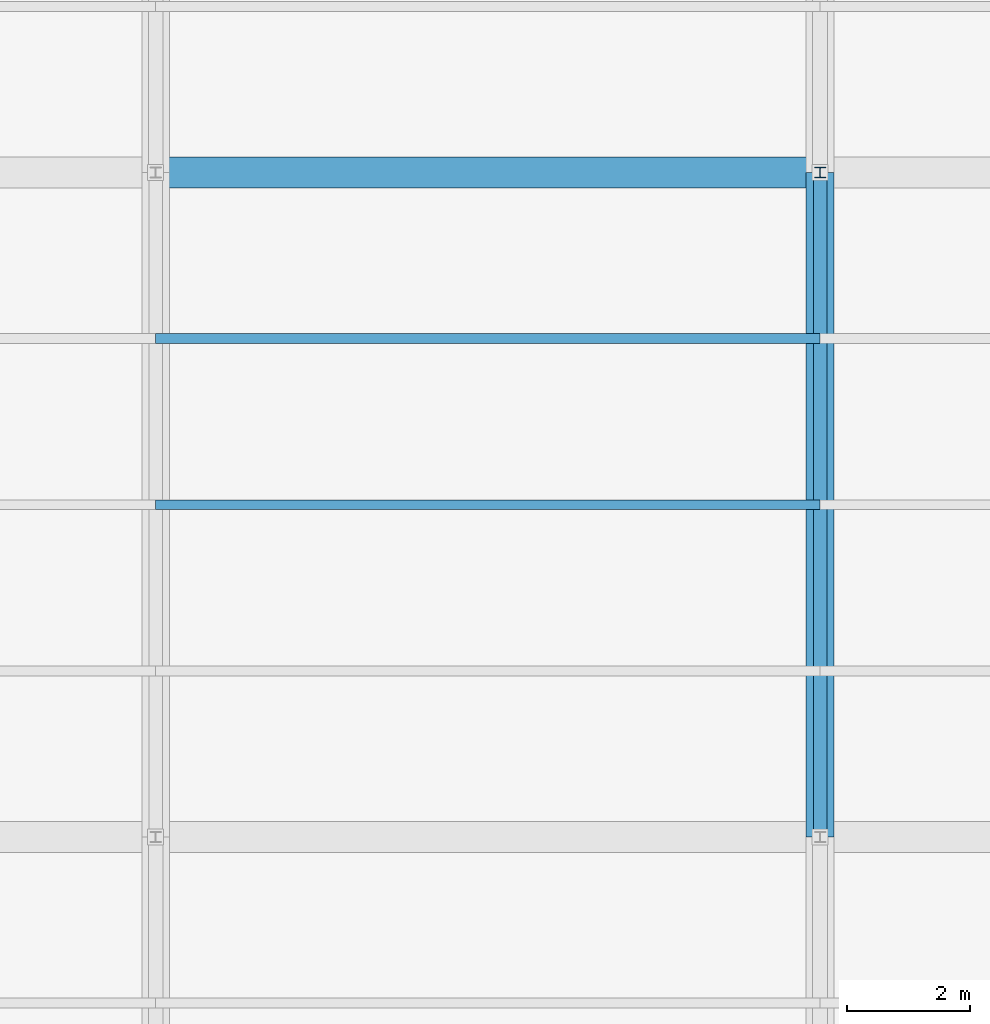
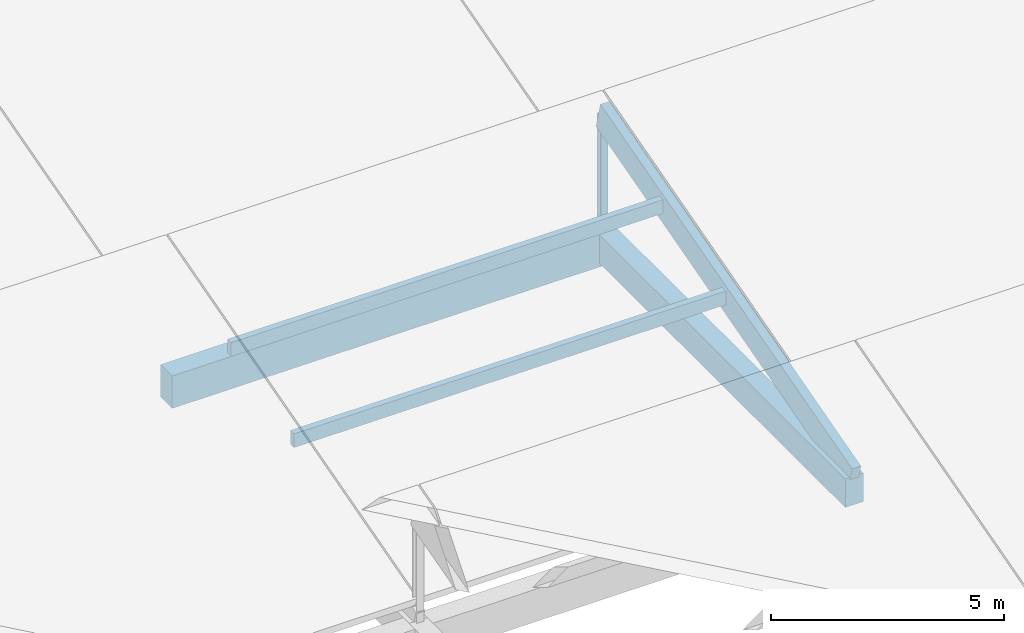
# One storey, part 5 of 112: 4 members, 2 beams.
"""IFC4 building model written with IfcOpenShell, lengths in metres."""

from ifc_helpers import new_model, si_unit, direction, frame, origin, origin_2d, place, context, subcontext, project, spatial, rectangle, i_section, extrude, material, material_profile, profile_set, type_object, element, save


model = new_model("IFC4")

# Units and contexts
model_context = context("Model", 3, precision=1e-05, world=origin(), true_north=direction((0.0, 1.0)))
body_context = subcontext(model_context, "Body", "Model", "MODEL_VIEW")
ifc_project = project(units=[si_unit("LENGTHUNIT", "METRE"), si_unit("AREAUNIT", "SQUARE_METRE"), si_unit("VOLUMEUNIT", "CUBIC_METRE"), si_unit("PLANEANGLEUNIT", "RADIAN"), si_unit("MASSUNIT", "GRAM", prefix="KILO")], contexts=[model_context])

# Site, building, storey
site_placement = place(None, origin())
site = spatial("IfcSite", under=ifc_project, at=site_placement, CompositionType="ELEMENT")
building_placement = place(site_placement, origin())
building = spatial("IfcBuilding", under=site, at=building_placement, Name="Zwinboog Wholesale Market", CompositionType="ELEMENT")
storey_placement = place(building_placement, frame((0.0, 0.0, 19.080078125)))
storey = spatial("IfcBuildingStorey", under=building, at=storey_placement, Name="Roof", CompositionType="ELEMENT", Elevation=19.080078125)

# Beams
ifc_material_1 = material(Name="Precast concrete C45/55", Category="concrete")
ifc_material_profile_1 = material_profile(ifc_material_1, rectangle(XDim=0.5, YDim=0.85009765625, at=origin_2d()), Name="PC 500x850")
ifc_profile_set_1 = profile_set([ifc_material_profile_1], Name="Precast concrete C45/55")
beam_type_1 = type_object("IfcBeamType", Name="BT-03", PredefinedType="BEAM", material=ifc_profile_set_1)
beam_1_placement = place(storey_placement, frame((10.800048828125, 21.60009765625, -9.425048828125), z_axis=(1.0, 0.0, 0.0), x_axis=(0.0, 1.0, 0.0)))
element("IfcBeam", 1, at=beam_1_placement, inside=storey, type_object=beam_type_1, Name="BG-03 (BMG-Roof-0108-0216-1156)", PredefinedType="BEAM", context=body_context, shape_type="SweptSolid", body=[
    extrude(rectangle(XDim=0.5, YDim=0.85009765625, at=origin_2d()), origin(), (0.0, 0.0, 1.0), 10.800048828125),
])
ifc_material_profile_2 = material_profile(ifc_material_1, rectangle(XDim=0.449951171875, YDim=0.75, at=origin_2d()), Name="PC 450x750")
ifc_profile_set_2 = profile_set([ifc_material_profile_2], Name="Precast concrete C45/55")
beam_type_2 = type_object("IfcBeamType", Name="BT-04", PredefinedType="BEAM", material=ifc_profile_set_2)
beam_2_placement = place(storey_placement, frame((21.60009765625, 10.800048828125, -9.375), z_axis=(0.0, 1.0, 0.0), x_axis=(-1.0, 0.0, 0.0)))
element("IfcBeam", 2, at=beam_2_placement, inside=storey, type_object=beam_type_2, Name="BG-04 (BMG-Roof-0216-0108-1222)", PredefinedType="BEAM", context=body_context, shape_type="SweptSolid", body=[
    extrude(rectangle(XDim=0.449951171875, YDim=0.75, at=origin_2d()), origin(), (0.0, 0.0, 1.0), 10.800048828125),
])

# Members
ifc_material_2 = material(Name="Steel S355", Category="steel")
ifc_material_profile_3 = material_profile(ifc_material_2, i_section(OverallWidth=0.179931640625, OverallDepth=0.1708984375, WebThickness=0.006103515625, FlangeThickness=0.009521484375, FilletRadius=0.014892578125, at=origin_2d()), Name="HEA 180")
ifc_profile_set_3 = profile_set([ifc_material_profile_3], Name="Steel S355")
member_type_1 = type_object("IfcMemberType", Name="MT-07", PredefinedType="BRACE", material=ifc_profile_set_3)
member_1_placement = place(storey_placement, frame((21.60009765625, 21.60009765625, -9.2001953125), z_axis=(0.0, 0.0, 1.0), x_axis=(1.0, 0.0, 0.0)))
element("IfcMember", 3, at=member_1_placement, inside=storey, type_object=member_type_1, Name="DB-04 (MEM-Roof-0692)", PredefinedType="BRACE", context=body_context, shape_type="SweptSolid", body=[
    extrude(i_section(OverallWidth=0.179931640625, OverallDepth=0.1708984375, WebThickness=0.006103515625, FlangeThickness=0.009521484375, FilletRadius=0.014892578125, at=origin_2d()), origin(), (0.0, 0.0, 1.0), 3.134521484375),
])
ifc_material_3 = material(Name="Glulam GL28h", Category="wood")
ifc_material_profile_4 = material_profile(ifc_material_3, rectangle(XDim=0.219970703125, YDim=0.719970703125, at=origin_2d()), Name="GL28h 220x720")
ifc_profile_set_4 = profile_set([ifc_material_profile_4], Name="Glulam GL28h")
member_type_2 = type_object("IfcMemberType", Name="MT-10", PredefinedType="RAFTER", material=ifc_profile_set_4)
member_2_placement = place(storey_placement, frame((21.60009765625, 10.800048828125, -9.065673828125), z_axis=(0.0, 0.963518221675, 0.26764274042), x_axis=(-1.0, 0.0, 0.0)))
element("IfcMember", 4, at=member_2_placement, inside=storey, type_object=member_type_2, Name="GR-02 (MEM-Roof-0693)", PredefinedType="RAFTER", context=body_context, shape_type="SweptSolid", body=[
    extrude(rectangle(XDim=0.219970703125, YDim=0.719970703125, at=origin_2d()), origin(), (0.0, 0.0, 1.0), 11.208984375),
])
ifc_material_profile_5 = material_profile(ifc_material_3, rectangle(XDim=0.159912109375, YDim=0.360107421875, at=origin_2d()), Name="GL28h 160x360")
ifc_profile_set_5 = profile_set([ifc_material_profile_5], Name="Glulam GL28h")
member_type_3 = type_object("IfcMemberType", Name="MT-12", PredefinedType="PURLIN", material=ifc_profile_set_5)
for number, where, z_axis, x_axis, name in (
    (5, (10.800048828125, 18.89990234375, -6.773193359375), (1.0, 0.0, 0.0), (0.0, 1.0, 0.0), "GP-01 (MEM-Roof-0691)"),
    (6, (10.800048828125, 16.199951171875, -7.523193359375), (1.0, 0.0, 0.0), (0.0, 1.0, 0.0), "GP-01 (MEM-PRL-Roof-0006)"),
):
    element("IfcMember", number, at=place(storey_placement, frame(where, z_axis=z_axis, x_axis=x_axis)), inside=storey, type_object=member_type_3, Name=name, PredefinedType="PURLIN", context=body_context, shape_type="SweptSolid", body=[
        extrude(rectangle(XDim=0.159912109375, YDim=0.360107421875, at=origin_2d()), origin(), (0.0, 0.0, 1.0), 10.800048828125),
    ])

save(model, "model.ifc")
